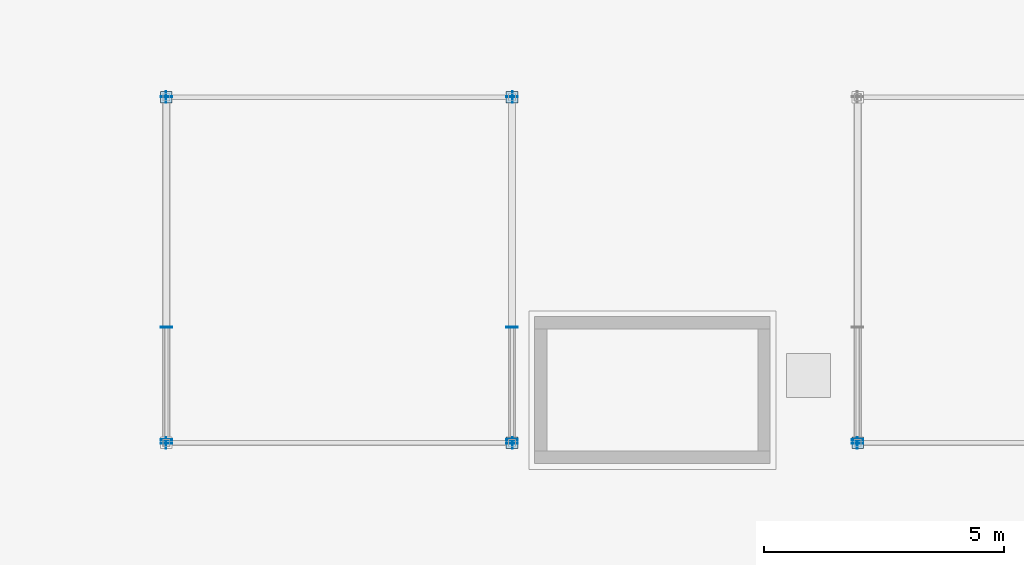
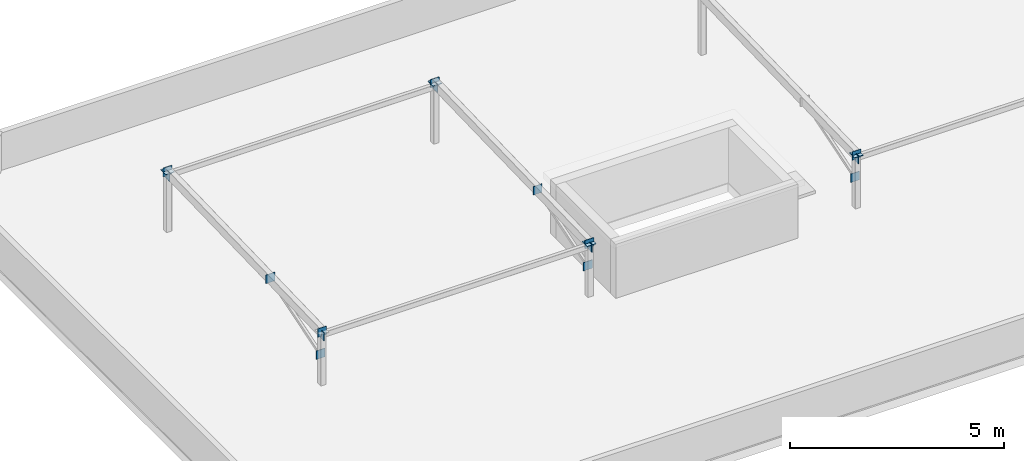
# One storey, part 4 of 7: 19 plates.
"""IFC4 building model written with IfcOpenShell, lengths in metres."""

from ifc_helpers import new_model, si_unit, direction, frame, origin, origin_2d, place, context, subcontext, project, spatial, rectangle, extrude, material, layer, layer_set, type_object, element, save


model = new_model("IFC4")

# Units and contexts
model_context = context("Model", 3, precision=1e-05, world=origin(), true_north=direction((0.0, 1.0)))
body_context = subcontext(model_context, "Body", "Model", "MODEL_VIEW")
ifc_project = project(units=[si_unit("LENGTHUNIT", "METRE"), si_unit("AREAUNIT", "SQUARE_METRE"), si_unit("VOLUMEUNIT", "CUBIC_METRE"), si_unit("PLANEANGLEUNIT", "RADIAN"), si_unit("MASSUNIT", "GRAM", prefix="KILO")], contexts=[model_context])

# Site, building, storey
site_placement = place(None, origin())
site = spatial("IfcSite", under=ifc_project, at=site_placement, CompositionType="ELEMENT")
building_placement = place(site_placement, origin())
building = spatial("IfcBuilding", under=site, at=building_placement, Name="Ochrevale Crest", CompositionType="ELEMENT")
storey_placement = place(building_placement, frame((0.0, 0.0, 52.800048828125)))
storey = spatial("IfcBuildingStorey", under=building, at=storey_placement, Name="RF", CompositionType="ELEMENT", Elevation=52.800048828125)

# Plates
ifc_material = material(Name="Steel S355", Category="steel")
ifc_layer = layer(ifc_material, 0.01611328125)
ifc_layer_set = layer_set([ifc_layer], Name="Steel S355")
plate_type = type_object("IfcPlateType", Name="PLT-CAP-16", PredefinedType="USERDEFINED", material=ifc_layer_set)
plate_1_placement = place(storey_placement, frame((136.800048828125, 86.39990234375, 1.719970703125), z_axis=(0.0, 0.0, 1.0), x_axis=(1.0, 0.0, 0.0)))
element("IfcPlate", 1, at=plate_1_placement, inside=storey, type_object=plate_type, Name="Block D solar-frame support post welded end cap plate CE", ObjectType="CAP PLATE", PredefinedType="USERDEFINED", context=body_context, shape_type="SweptSolid", body=[
    extrude(rectangle(XDim=0.239990234375, YDim=0.239990234375, at=origin_2d()), origin(), (0.0, 0.0, 1.0), 0.01611328125),
])
for number, where, z_axis, x_axis, name in (
    (2, (136.800048828125, 79.19189453125, 1.39990234375), (0.0, 0.0, 1.0), (0.0, 1.0, 0.0), "Block D solar-frame array rafter 1 welded end cap plate CS"),
    (3, (136.800048828125, 86.407958984375, 1.60009765625), (0.0, 0.0, 1.0), (0.0, 1.0, 0.0), "Block D solar-frame array rafter 1 welded end cap plate CE"),
    (4, (136.800048828125, 79.262451171875, 0.7275390625), (0.0, 0.0, 1.0), (0.0, 1.0, 0.0), "Block D solar-frame knee-brace strut 1 welded end cap plate CS"),
    (5, (136.800048828125, 81.607666015625, 1.46728515625), (0.0, 0.0, 1.0), (0.0, 1.0, 0.0), "Block D solar-frame knee-brace strut 1 welded end cap plate CE"),
):
    element("IfcPlate", number, at=place(storey_placement, frame(where, z_axis=z_axis, x_axis=x_axis)), inside=storey, type_object=plate_type, Name=name, ObjectType="CAP PLATE", PredefinedType="USERDEFINED", context=body_context, shape_type="SweptSolid", body=[
        extrude(rectangle(XDim=0.01611328125, YDim=0.239990234375, at=origin_2d()), origin(), (0.0, 0.0, 1.0), 0.239990234375),
    ])
for number, where, z_axis, x_axis, name in (
    (6, (144.0, 79.199951171875, 1.519775390625), (0.0, 0.0, 1.0), (1.0, 0.0, 0.0), "Block D solar-frame support post welded end cap plate CE"),
    (7, (144.0, 86.39990234375, 1.719970703125), (0.0, 0.0, 1.0), (1.0, 0.0, 0.0), "Block D solar-frame support post welded end cap plate CE"),
):
    element("IfcPlate", number, at=place(storey_placement, frame(where, z_axis=z_axis, x_axis=x_axis)), inside=storey, type_object=plate_type, Name=name, ObjectType="CAP PLATE", PredefinedType="USERDEFINED", context=body_context, shape_type="SweptSolid", body=[
        extrude(rectangle(XDim=0.239990234375, YDim=0.239990234375, at=origin_2d()), origin(), (0.0, 0.0, 1.0), 0.01611328125),
    ])
for number, where, z_axis, x_axis, name in (
    (8, (144.0, 79.19189453125, 1.39990234375), (0.0, 0.0, 1.0), (0.0, 1.0, 0.0), "Block D solar-frame array rafter 2 welded end cap plate CS"),
    (9, (144.0, 86.407958984375, 1.60009765625), (0.0, 0.0, 1.0), (0.0, 1.0, 0.0), "Block D solar-frame array rafter 2 welded end cap plate CE"),
    (10, (144.0, 79.262451171875, 0.7275390625), (0.0, 0.0, 1.0), (0.0, 1.0, 0.0), "Block D solar-frame knee-brace strut 2 welded end cap plate CS"),
    (11, (144.0, 81.607666015625, 1.46728515625), (0.0, 0.0, 1.0), (0.0, 1.0, 0.0), "Block D solar-frame knee-brace strut 2 welded end cap plate CE"),
):
    element("IfcPlate", number, at=place(storey_placement, frame(where, z_axis=z_axis, x_axis=x_axis)), inside=storey, type_object=plate_type, Name=name, ObjectType="CAP PLATE", PredefinedType="USERDEFINED", context=body_context, shape_type="SweptSolid", body=[
        extrude(rectangle(XDim=0.01611328125, YDim=0.239990234375, at=origin_2d()), origin(), (0.0, 0.0, 1.0), 0.239990234375),
    ])
plate_2_placement = place(storey_placement, frame((151.199951171875, 79.199951171875, 1.519775390625), z_axis=(0.0, 0.0, 1.0), x_axis=(1.0, 0.0, 0.0)))
element("IfcPlate", 12, at=plate_2_placement, inside=storey, type_object=plate_type, Name="Block D solar-frame support post welded end cap plate CE", ObjectType="CAP PLATE", PredefinedType="USERDEFINED", context=body_context, shape_type="SweptSolid", body=[
    extrude(rectangle(XDim=0.239990234375, YDim=0.239990234375, at=origin_2d()), origin(), (0.0, 0.0, 1.0), 0.01611328125),
])
for number, where, z_axis, x_axis, name in (
    (13, (151.199951171875, 79.19189453125, 1.39990234375), (0.0, 0.0, 1.0), (0.0, 1.0, 0.0), "Block D solar-frame array rafter 3 welded end cap plate CS"),
    (14, (151.199951171875, 79.262451171875, 0.7275390625), (0.0, 0.0, 1.0), (0.0, 1.0, 0.0), "Block D solar-frame knee-brace strut 3 welded end cap plate CS"),
    (15, (136.7919921875, 79.199951171875, 1.31982421875), (0.0, 0.0, 1.0), (1.0, 0.0, 0.0), "Block D solar-frame purlin W welded end cap plate CS"),
    (16, (144.008056640625, 79.199951171875, 1.31982421875), (0.0, 0.0, 1.0), (1.0, 0.0, 0.0), "Block D solar-frame purlin W welded end cap plate CE"),
    (17, (136.7919921875, 86.39990234375, 1.5), (0.0, 0.0, 1.0), (1.0, 0.0, 0.0), "Block D solar-frame purlin W welded end cap plate CS"),
    (18, (144.008056640625, 86.39990234375, 1.5), (0.0, 0.0, 1.0), (1.0, 0.0, 0.0), "Block D solar-frame purlin W welded end cap plate CE"),
    (19, (151.19189453125, 79.199951171875, 1.31982421875), (0.0, 0.0, 1.0), (1.0, 0.0, 0.0), "Block D solar-frame purlin E welded end cap plate CS"),
):
    element("IfcPlate", number, at=place(storey_placement, frame(where, z_axis=z_axis, x_axis=x_axis)), inside=storey, type_object=plate_type, Name=name, ObjectType="CAP PLATE", PredefinedType="USERDEFINED", context=body_context, shape_type="SweptSolid", body=[
        extrude(rectangle(XDim=0.01611328125, YDim=0.239990234375, at=origin_2d()), origin(), (0.0, 0.0, 1.0), 0.239990234375),
    ])

save(model, "model.ifc")
